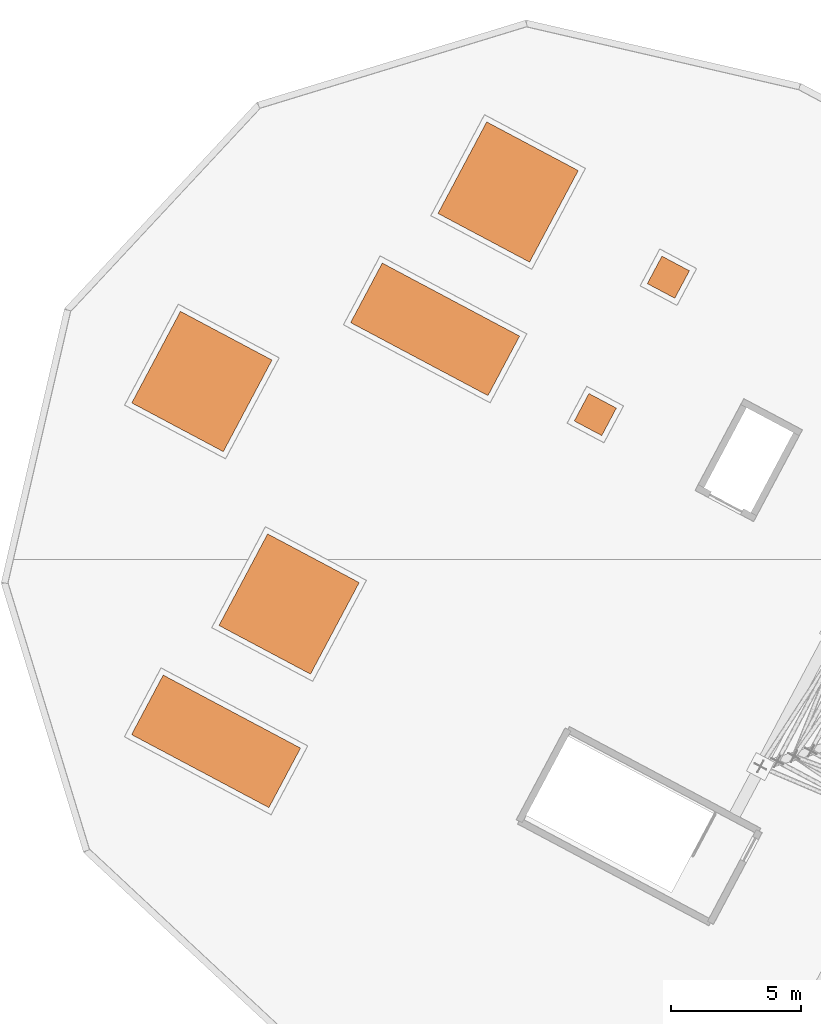
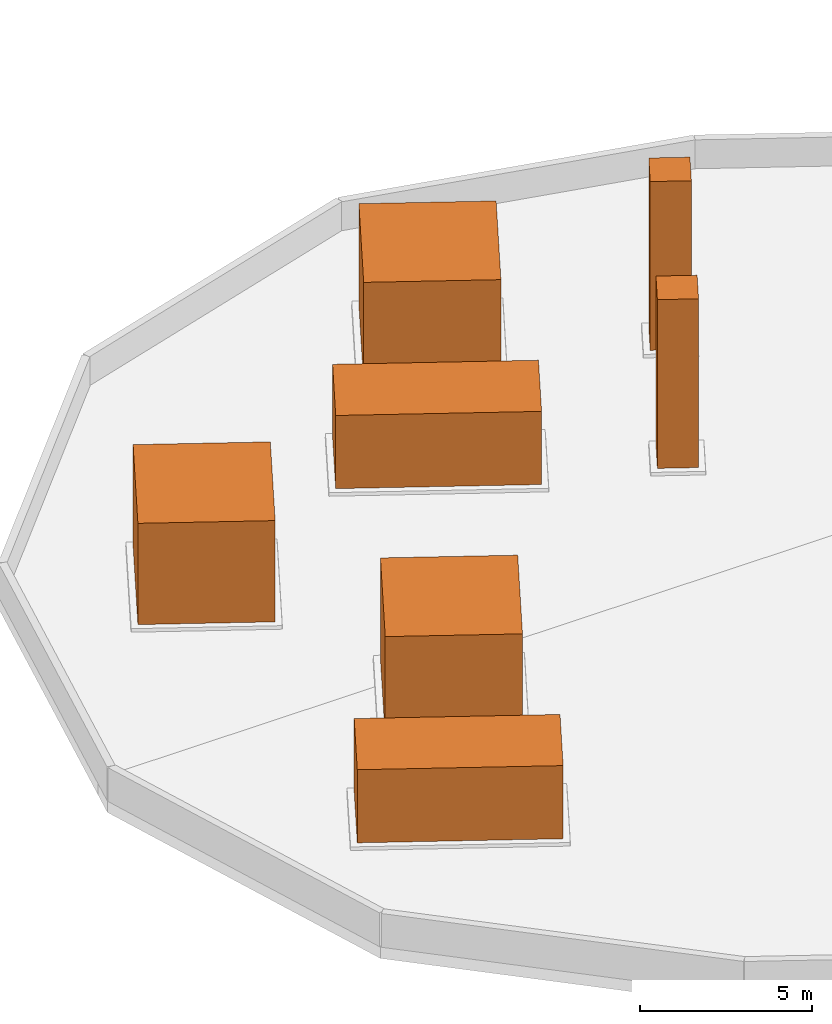
# One storey, part 5 of 5: 7 proxies.
"""IFC4 building model written with IfcOpenShell, lengths in metres."""

from ifc_helpers import new_model, si_unit, direction, frame, origin, origin_2d, place, context, subcontext, project, spatial, rectangle, extrude, element, save


model = new_model("IFC4")

# Units and contexts
model_context = context("Model", 3, precision=1e-05, world=origin(), true_north=direction((0.0, 1.0)))
body_context = subcontext(model_context, "Body", "Model", "MODEL_VIEW")
ifc_project = project(units=[si_unit("LENGTHUNIT", "METRE"), si_unit("AREAUNIT", "SQUARE_METRE"), si_unit("VOLUMEUNIT", "CUBIC_METRE"), si_unit("PLANEANGLEUNIT", "RADIAN"), si_unit("MASSUNIT", "GRAM", prefix="KILO")], contexts=[model_context])

# Site, building, storey
site_placement = place(None, origin())
site = spatial("IfcSite", under=ifc_project, at=site_placement, CompositionType="ELEMENT")
building_placement = place(site_placement, origin())
building = spatial("IfcBuilding", under=site, at=building_placement, Name="Cormorant Relay Tower", CompositionType="ELEMENT")
storey_placement = place(building_placement, frame((0.0, 0.0, 357.60009765625)))
storey = spatial("IfcBuildingStorey", under=building, at=storey_placement, Name="RF", CompositionType="ELEMENT", Elevation=357.60009765625)

# Proxies
for number, where, z_axis, x_axis, name in (
    (1, (-41.16259765625, 35.477294921875, 0.2998046875), (0.0, 0.0, 1.0), (-0.882947592859, 0.469471562786, 0.0), "Cooling tower"),
    (2, (-49.613037109375, 19.584228515625, 0.2998046875), (0.0, 0.0, 1.0), (-0.882947592859, 0.469471562786, 0.0), "Cooling tower"),
    (3, (-52.976806640625, 28.168212890625, 0.2998046875), (0.0, 0.0, 1.0), (-0.882947592859, 0.469471562786, 0.0), "Cooling tower"),
):
    element("IfcBuildingElementProxy", number, at=place(storey_placement, frame(where, z_axis=z_axis, x_axis=x_axis)), inside=storey, Name=name, PredefinedType="NOTDEFINED", context=body_context, shape_type="SweptSolid", body=[
        extrude(rectangle(XDim=4.0, YDim=4.0, at=origin_2d()), origin(), (0.0, 0.0, 1.0), 3.60009765625),
    ])
for number, where, z_axis, x_axis, name in (
    (4, (-43.9794921875, 30.1796875, 0.2998046875), (0.0, 0.0, 1.0), (-0.882947592859, 0.469471562786, 0.0), "Air handling unit"),
    (5, (-52.429931640625, 14.28662109375, 0.2998046875), (0.0, 0.0, 1.0), (-0.882947592859, 0.469471562786, 0.0), "Air handling unit"),
):
    element("IfcBuildingElementProxy", number, at=place(storey_placement, frame(where, z_axis=z_axis, x_axis=x_axis)), inside=storey, Name=name, PredefinedType="NOTDEFINED", context=body_context, shape_type="SweptSolid", body=[
        extrude(rectangle(XDim=6.0, YDim=2.60009765625, at=origin_2d()), origin(), (0.0, 0.0, 1.0), 2.60009765625),
    ])
for number, where, z_axis, x_axis, name in (
    (6, (-34.98193359375, 32.191162109375, 0.2998046875), (0.0, 0.0, 1.0), (-0.882947592859, 0.469471562786, 0.0), "Generator exhaust stack"),
    (7, (-37.798828125, 26.893310546875, 0.2998046875), (0.0, 0.0, 1.0), (-0.882947592859, 0.469471562786, 0.0), "Generator exhaust stack"),
):
    element("IfcBuildingElementProxy", number, at=place(storey_placement, frame(where, z_axis=z_axis, x_axis=x_axis)), inside=storey, Name=name, PredefinedType="NOTDEFINED", context=body_context, shape_type="SweptSolid", body=[
        extrude(rectangle(XDim=1.199951171875, YDim=1.199951171875, at=origin_2d()), origin(), (0.0, 0.0, 1.0), 6.0),
    ])

save(model, "model.ifc")
